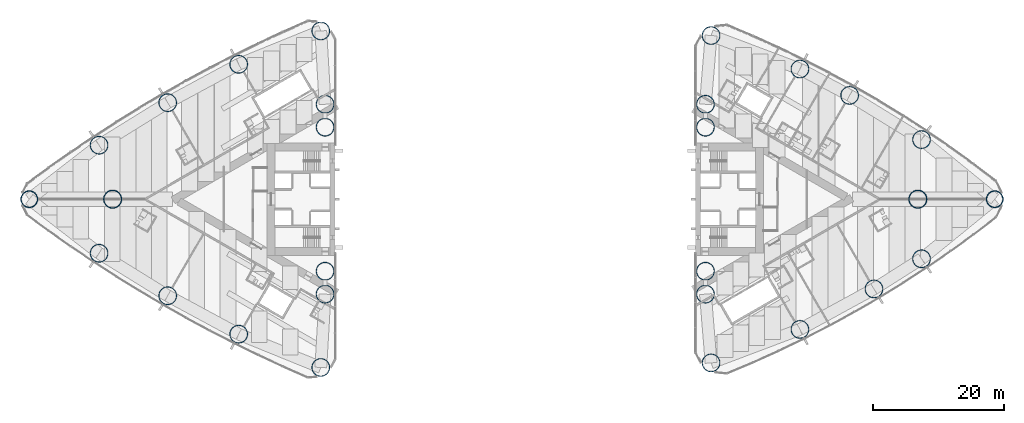
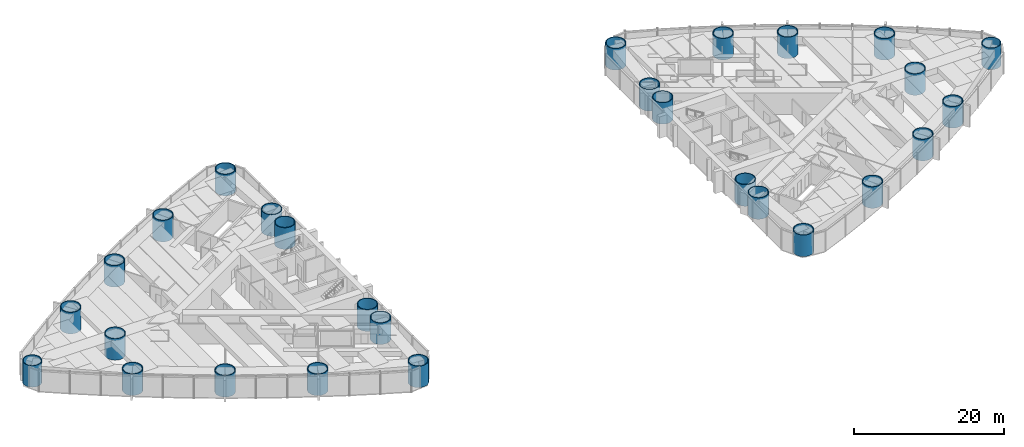
# One storey, part 1 of 18: 28 columns.
"""IFC4 building model written with IfcOpenShell, lengths in metres."""

from ifc_helpers import new_model, si_unit, direction, frame, origin, origin_2d, place, context, subcontext, project, spatial, hollow_circle, extrude, material, material_profile, profile_set, type_object, element, save


model = new_model("IFC4")

# Units and contexts
model_context = context("Model", 3, precision=1e-05, world=origin(), true_north=direction((0.0, 1.0)))
body_context = subcontext(model_context, "Body", "Model", "MODEL_VIEW")
ifc_project = project(units=[si_unit("LENGTHUNIT", "METRE"), si_unit("AREAUNIT", "SQUARE_METRE"), si_unit("VOLUMEUNIT", "CUBIC_METRE"), si_unit("PLANEANGLEUNIT", "RADIAN"), si_unit("MASSUNIT", "GRAM", prefix="KILO")], contexts=[model_context])

# Site, building, storey
site_placement = place(None, origin())
site = spatial("IfcSite", under=ifc_project, at=site_placement, CompositionType="ELEMENT")
building_placement = place(site_placement, origin())
building = spatial("IfcBuilding", under=site, at=building_placement, Name="Lancet Gate Hotel", CompositionType="ELEMENT")
storey_placement = place(building_placement, frame((0.0, 0.0, 46.0)))
storey = spatial("IfcBuildingStorey", under=building, at=storey_placement, Name="L11", CompositionType="ELEMENT", Elevation=46.0)

# Columns
ifc_material_1 = material(Name="Composite filled tube, grade 460 plate, grade 80/95 fill", Category="composite")
ifc_material_profile_1 = material_profile(ifc_material_1, hollow_circle(Radius=1.39990234375, WallThickness=0.10009765625, at=origin_2d()), Name="CHS 2800x100")
ifc_profile_set_1 = profile_set([ifc_material_profile_1], Name="Composite filled tube, grade 460 plate, grade 80/95 fill")
column_type_1 = type_object("IfcColumnType", Name="Apex column CFT CHS 2800x100", PredefinedType="COLUMN", material=ifc_profile_set_1)
for number, where, z_axis, x_axis, name in (
    (1, (-61.5, 0.0, 0.0), (0.0, 0.0, 1.0), (1.0, 0.0, 0.0), "T1 column AX L11"),
    (2, (61.5, 0.0, 0.0), (0.0, 0.0, 1.0), (1.0, 0.0, 0.0), "T2 column AX L11"),
):
    element("IfcColumn", number, at=place(storey_placement, frame(where, z_axis=z_axis, x_axis=x_axis)), inside=storey, type_object=column_type_1, Name=name, PredefinedType="COLUMN", context=body_context, shape_type="SweptSolid", body=[
        extrude(hollow_circle(Radius=1.39990234375, WallThickness=0.10009765625, at=origin_2d()), origin(), (0.0, 0.0, 1.0), 3.5),
    ])
ifc_material_2 = material(Name="Composite filled tube, grade 460 plate, grade 80/95 fill", Category="composite")
ifc_material_profile_2 = material_profile(ifc_material_2, hollow_circle(Radius=1.300048828125, WallThickness=0.10009765625, at=origin_2d()), Name="CHS 2600x100")
ifc_profile_set_2 = profile_set([ifc_material_profile_2], Name="Composite filled tube, grade 460 plate, grade 80/95 fill")
column_type_2 = type_object("IfcColumnType", Name="Apex corner column CFT CHS 2600x100", PredefinedType="COLUMN", material=ifc_profile_set_2)
for number, where, z_axis, x_axis, name in (
    (3, (-74.235107421875, 0.0, 0.0), (0.0, 0.0, 1.0), (1.0, 0.0, 0.0), "T1 column CA L11"),
    (4, (73.2392578125, 0.0, 0.0), (0.0, 0.0, 1.0), (1.0, 0.0, 0.0), "T2 column CA L11"),
):
    element("IfcColumn", number, at=place(storey_placement, frame(where, z_axis=z_axis, x_axis=x_axis)), inside=storey, type_object=column_type_2, Name=name, PredefinedType="COLUMN", context=body_context, shape_type="SweptSolid", body=[
        extrude(hollow_circle(Radius=1.300048828125, WallThickness=0.10009765625, at=origin_2d()), origin(), (0.0, 0.0, 1.0), 3.5),
    ])
ifc_material_3 = material(Name="Composite filled tube, grade 460 plate, grade 80/95 fill", Category="composite")
ifc_material_profile_3 = material_profile(ifc_material_3, hollow_circle(Radius=1.39990234375, WallThickness=0.1201171875, at=origin_2d()), Name="CHS 2800x120")
ifc_profile_set_3 = profile_set([ifc_material_profile_3], Name="Composite filled tube, grade 460 plate, grade 80/95 fill")
column_type_3 = type_object("IfcColumnType", Name="Perimeter column CFT CHS 2800x120", PredefinedType="COLUMN", material=ifc_profile_set_3)
for number, where, z_axis, x_axis, name in (
    (5, (-29.703369140625, -25.70263671875, 0.0), (0.0, 0.0, 1.0), (1.0, 0.0, 0.0), "T1 column CN L11"),
    (6, (-29.703369140625, 25.70263671875, 0.0), (0.0, 0.0, 1.0), (1.0, 0.0, 0.0), "T1 column CS L11"),
    (7, (-29.050048828125, -11.0, 0.0), (0.0, 0.0, 1.0), (1.0, 0.0, 0.0), "T1 column IN L11"),
    (8, (-29.050048828125, 11.0, 0.0), (0.0, 0.0, 1.0), (1.0, 0.0, 0.0), "T1 column IS L11"),
    (9, (-29.050048828125, 14.5, 0.0), (0.0, 0.0, 1.0), (1.0, 0.0, 0.0), "T1 column IT L11"),
    (10, (-29.050048828125, -14.5, 0.0), (0.0, 0.0, 1.0), (1.0, 0.0, 0.0), "T1 column JT L11"),
    (11, (-63.57177734375, -8.255126953125, 0.0), (0.0, 0.0, 1.0), (1.0, 0.0, 0.0), "T1 column ON1 L11"),
    (12, (-53.090087890625, -14.744873046875, 0.0), (0.0, 0.0, 1.0), (1.0, 0.0, 0.0), "T1 column ON2 L11"),
    (13, (-42.2451171875, -20.607421875, 0.0), (0.0, 0.0, 1.0), (1.0, 0.0, 0.0), "T1 column ON3 L11"),
    (14, (-42.2451171875, 20.607421875, 0.0), (0.0, 0.0, 1.0), (1.0, 0.0, 0.0), "T1 column OS1 L11"),
    (15, (-53.090087890625, 14.744873046875, 0.0), (0.0, 0.0, 1.0), (1.0, 0.0, 0.0), "T1 column OS2 L11"),
    (16, (-63.57177734375, 8.255126953125, 0.0), (0.0, 0.0, 1.0), (1.0, 0.0, 0.0), "T1 column OS3 L11"),
    (17, (29.9111328125, 25.00244140625, 0.0), (0.0, 0.0, 1.0), (1.0, 0.0, 0.0), "T2 column CN L11"),
    (18, (29.9111328125, -25.00244140625, 0.0), (0.0, 0.0, 1.0), (1.0, 0.0, 0.0), "T2 column CS L11"),
    (19, (29.050048828125, 11.0, 0.0), (0.0, 0.0, 1.0), (1.0, 0.0, 0.0), "T2 column IN L11"),
    (20, (29.050048828125, -11.0, 0.0), (0.0, 0.0, 1.0), (1.0, 0.0, 0.0), "T2 column IS L11"),
    (21, (29.050048828125, -14.5, 0.0), (0.0, 0.0, 1.0), (1.0, 0.0, 0.0), "T2 column IT L11"),
    (22, (29.050048828125, 14.5, 0.0), (0.0, 0.0, 1.0), (1.0, 0.0, 0.0), "T2 column JT L11"),
    (23, (62.059326171875, 9.10498046875, 0.0), (0.0, 0.0, 1.0), (1.0, 0.0, 0.0), "T2 column ON1 L11"),
    (24, (51.07763671875, 15.8583984375, 0.0), (0.0, 0.0, 1.0), (1.0, 0.0, 0.0), "T2 column ON2 L11"),
    (25, (43.484130859375, 19.886474609375, 0.0), (0.0, 0.0, 1.0), (1.0, 0.0, 0.0), "T2 column ON3 L11"),
    (26, (43.484130859375, -19.886474609375, 0.0), (0.0, 0.0, 1.0), (1.0, 0.0, 0.0), "T2 column OS1 L11"),
    (27, (54.795166015625, -13.70068359375, 0.0), (0.0, 0.0, 1.0), (1.0, 0.0, 0.0), "T2 column OS2 L11"),
    (28, (62.059326171875, -9.10498046875, 0.0), (0.0, 0.0, 1.0), (1.0, 0.0, 0.0), "T2 column OS3 L11"),
):
    element("IfcColumn", number, at=place(storey_placement, frame(where, z_axis=z_axis, x_axis=x_axis)), inside=storey, type_object=column_type_3, Name=name, PredefinedType="COLUMN", context=body_context, shape_type="SweptSolid", body=[
        extrude(hollow_circle(Radius=1.39990234375, WallThickness=0.1201171875, at=origin_2d()), origin(), (0.0, 0.0, 1.0), 3.5),
    ])

save(model, "model.ifc")
